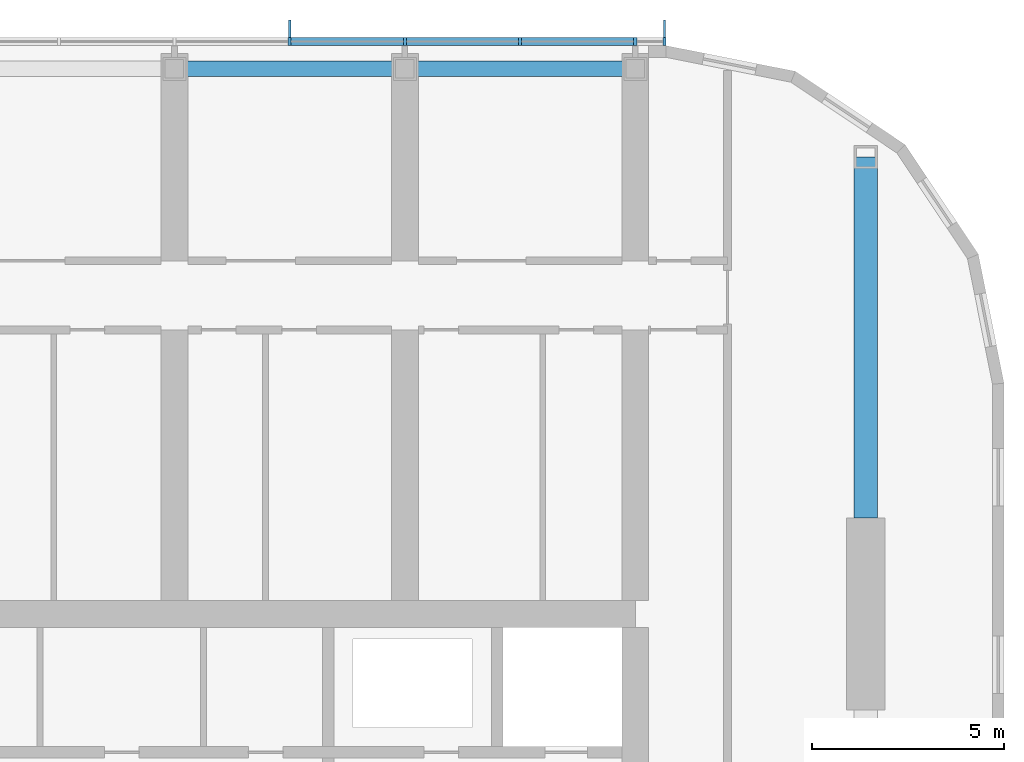
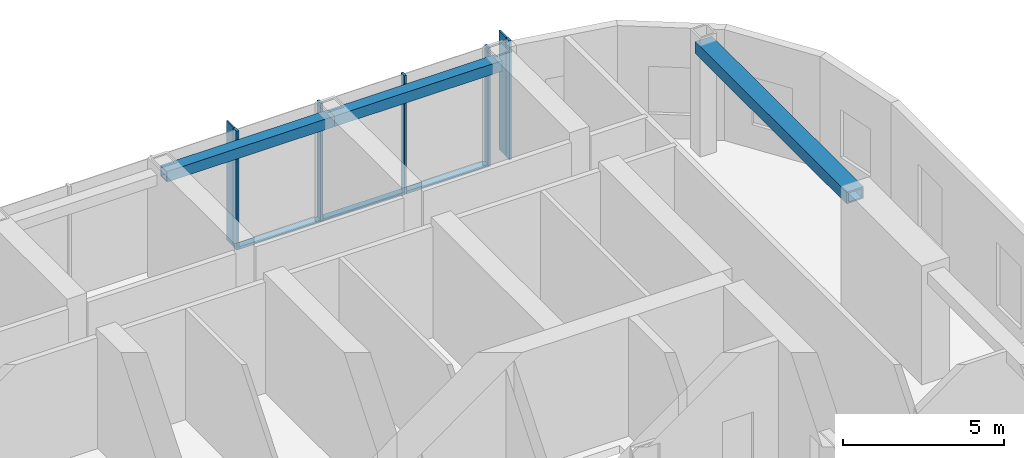
# One storey, part 5 of 21: 10 members, 3 beams, 1 element without a shape of its own.
"""IFC4 building model written with IfcOpenShell, lengths in metres."""

from ifc_helpers import new_model, si_unit, direction, frame, origin, origin_2d, place, context, subcontext, project, spatial, rectangle, hollow_rectangle, extrude, material, material_profile, profile_set, type_object, element, aggregate, save


model = new_model("IFC4")

# Units and contexts
model_context = context("Model", 3, precision=1e-05, world=origin(), true_north=direction((0.0, 1.0)))
body_context = subcontext(model_context, "Body", "Model", "MODEL_VIEW")
ifc_project = project(units=[si_unit("LENGTHUNIT", "METRE"), si_unit("AREAUNIT", "SQUARE_METRE"), si_unit("VOLUMEUNIT", "CUBIC_METRE"), si_unit("PLANEANGLEUNIT", "RADIAN"), si_unit("MASSUNIT", "GRAM", prefix="KILO")], contexts=[model_context])

# Site, building, storey
site_placement = place(None, origin())
site = spatial("IfcSite", under=ifc_project, at=site_placement, CompositionType="ELEMENT")
building_placement = place(site_placement, origin())
building = spatial("IfcBuilding", under=site, at=building_placement, Name="Orbita Commons", CompositionType="ELEMENT")
storey_placement = place(building_placement, frame((0.0, 0.0, 257.800048828125)))
storey = spatial("IfcBuildingStorey", under=building, at=storey_placement, Name="L64", CompositionType="ELEMENT", Elevation=257.800048828125)

# Curtain wall, members
ifc_material_1 = material(Name="Anodised aluminium frame, pale silver", Category="aluminium")
curtain_wall_type = type_object("IfcCurtainWallType", Name="Unitised curtain wall CW-S, full-height", PredefinedType="NOTDEFINED", material=ifc_material_1)
curtain_wall_placement = place(storey_placement, origin())
curtain_wall = element("IfcCurtainWall", 1, at=curtain_wall_placement, inside=storey, type_object=curtain_wall_type, Name="Curtain wall north L64", PredefinedType="NOTDEFINED")
ifc_material_2 = material(Name="Anodised aluminium, pale silver", Category="aluminium")
ifc_material_profile_1 = material_profile(ifc_material_2, rectangle(XDim=0.080078125, YDim=0.219970703125, at=origin_2d()), Name="AL 80x220")
ifc_profile_set_1 = profile_set([ifc_material_profile_1], Name="Anodised aluminium, pale silver")
member_type_1 = type_object("IfcMemberType", Name="Curtain wall mullion 80x220", PredefinedType="MULLION", material=ifc_profile_set_1)
member_1_placement = place(storey_placement, frame((66.760009765625, 53.110107421875, -0.300048828125), z_axis=(0.0, 0.0, 1.0), x_axis=(-1.0, 0.0, 0.0)))
member_1 = element("IfcMember", 2, at=member_1_placement, type_object=member_type_1, Name="Mullion 1 CW-L64-N", PredefinedType="MULLION", context=body_context, shape_type="SweptSolid", body=[
    extrude(rectangle(XDim=0.080078125, YDim=0.219970703125, at=origin_2d()), origin(), (0.0, 0.0, 1.0), 4.5),
])
member_2_placement = place(storey_placement, frame((66.0, 53.110107421875, -0.300048828125), z_axis=(0.0, 0.0, 1.0), x_axis=(-1.0, 0.0, 0.0)))
member_2 = element("IfcMember", 3, at=member_2_placement, type_object=member_type_1, Name="Mullion 2 CW-L64-N", PredefinedType="MULLION", context=body_context, shape_type="SweptSolid", body=[
    extrude(rectangle(XDim=0.080078125, YDim=0.219970703125, at=origin_2d()), origin(), (0.0, 0.0, 1.0), 4.5),
])
member_3_placement = place(storey_placement, frame((63.0, 53.110107421875, -0.300048828125), z_axis=(0.0, 0.0, 1.0), x_axis=(-1.0, 0.0, 0.0)))
member_3 = element("IfcMember", 4, at=member_3_placement, type_object=member_type_1, Name="Mullion 3 CW-L64-N", PredefinedType="MULLION", context=body_context, shape_type="SweptSolid", body=[
    extrude(rectangle(XDim=0.080078125, YDim=0.219970703125, at=origin_2d()), origin(), (0.0, 0.0, 1.0), 4.5),
])
member_4_placement = place(storey_placement, frame((60.0, 53.110107421875, -0.300048828125), z_axis=(0.0, 0.0, 1.0), x_axis=(-1.0, 0.0, 0.0)))
member_4 = element("IfcMember", 5, at=member_4_placement, type_object=member_type_1, Name="Mullion 4 CW-L64-N", PredefinedType="MULLION", context=body_context, shape_type="SweptSolid", body=[
    extrude(rectangle(XDim=0.080078125, YDim=0.219970703125, at=origin_2d()), origin(), (0.0, 0.0, 1.0), 4.5),
])
member_5_placement = place(storey_placement, frame((57.0, 53.110107421875, -0.300048828125), z_axis=(0.0, 0.0, 1.0), x_axis=(-1.0, 0.0, 0.0)))
member_5 = element("IfcMember", 6, at=member_5_placement, type_object=member_type_1, Name="Mullion 5 CW-L64-N", PredefinedType="MULLION", context=body_context, shape_type="SweptSolid", body=[
    extrude(rectangle(XDim=0.080078125, YDim=0.219970703125, at=origin_2d()), origin(), (0.0, 0.0, 1.0), 4.5),
])
ifc_material_3 = material(Name="Anodised aluminium, pale silver", Category="aluminium")
ifc_material_profile_2 = material_profile(ifc_material_3, rectangle(XDim=0.219970703125, YDim=0.10009765625, at=origin_2d()), Name="AL 220x100")
ifc_profile_set_2 = profile_set([ifc_material_profile_2], Name="Anodised aluminium, pale silver")
member_type_2 = type_object("IfcMemberType", Name="Curtain wall stack transom 220x100", PredefinedType="USERDEFINED", material=ifc_profile_set_2)
member_6_placement = place(storey_placement, frame((65.9599609375, 53.110107421875, -0.25), z_axis=(-1.0, 0.0, 0.0), x_axis=(0.0, -1.0, 0.0)))
member_6 = element("IfcMember", 7, at=member_6_placement, type_object=member_type_2, Name="Transom 2.1 CW-L64-N", ObjectType="TRANSOM", PredefinedType="USERDEFINED", context=body_context, shape_type="SweptSolid", body=[
    extrude(rectangle(XDim=0.219970703125, YDim=0.10009765625, at=origin_2d()), origin(), (0.0, 0.0, 1.0), 2.919921875),
])
member_7_placement = place(storey_placement, frame((62.9599609375, 53.110107421875, -0.25), z_axis=(-1.0, 0.0, 0.0), x_axis=(0.0, -1.0, 0.0)))
member_7 = element("IfcMember", 8, at=member_7_placement, type_object=member_type_2, Name="Transom 3.1 CW-L64-N", ObjectType="TRANSOM", PredefinedType="USERDEFINED", context=body_context, shape_type="SweptSolid", body=[
    extrude(rectangle(XDim=0.219970703125, YDim=0.10009765625, at=origin_2d()), origin(), (0.0, 0.0, 1.0), 2.919921875),
])
member_8_placement = place(storey_placement, frame((59.9599609375, 53.110107421875, -0.25), z_axis=(-1.0, 0.0, 0.0), x_axis=(0.0, -1.0, 0.0)))
member_8 = element("IfcMember", 9, at=member_8_placement, type_object=member_type_2, Name="Transom 4.1 CW-L64-N", ObjectType="TRANSOM", PredefinedType="USERDEFINED", context=body_context, shape_type="SweptSolid", body=[
    extrude(rectangle(XDim=0.219970703125, YDim=0.10009765625, at=origin_2d()), origin(), (0.0, 0.0, 1.0), 2.919921875),
])

# Beams
ifc_material_4 = material(Name="Steel ASTM A572 Gr 50 welded plate", Category="steel")
ifc_material_profile_3 = material_profile(ifc_material_4, hollow_rectangle(XDim=0.60009765625, YDim=0.449951171875, WallThickness=0.06005859375, at=origin_2d()), Name="BOX 450x600x60")
ifc_profile_set_3 = profile_set([ifc_material_profile_3], Name="Steel ASTM A572 Gr 50 welded plate")
beam_type_1 = type_object("IfcBeamType", Name="Steel end frame link BOX 450x600x60", PredefinedType="BEAM", material=ifc_profile_set_3)
beam_placement = place(storey_placement, frame((72.0, 40.699951171875, 3.974853515625), z_axis=(0.0, 1.0, 0.0), x_axis=(-1.0, 0.0, 0.0)))
element("IfcBeam", 10, at=beam_placement, inside=storey, type_object=beam_type_1, Name="End frame beam 13 D-E L64", PredefinedType="BEAM", context=body_context, shape_type="SweptSolid", body=[
    extrude(hollow_rectangle(XDim=0.60009765625, YDim=0.449951171875, WallThickness=0.06005859375, at=origin_2d()), origin(), (0.0, 0.0, 1.0), 9.400146484375),
])
ifc_material_5 = material(Name="Steel ASTM A572 Gr 50 welded plate", Category="steel")
ifc_material_profile_4 = material_profile(ifc_material_5, hollow_rectangle(XDim=0.39990234375, YDim=0.39990234375, WallThickness=0.0400390625, at=origin_2d()), Name="BOX 400x400x40")
ifc_profile_set_4 = profile_set([ifc_material_profile_4], Name="Steel ASTM A572 Gr 50 welded plate")
beam_type_2 = type_object("IfcBeamType", Name="Steel spandrel BOX 400x400x40", PredefinedType="SPANDREL", material=ifc_profile_set_4)
for number, where, z_axis, x_axis, name in (
    (11, (54.0, 52.39990234375, 4.0), (1.0, 0.0, 0.0), (0.0, 1.0, 0.0), "Spandrel beam E 10-11 L64"),
    (12, (60.0, 52.39990234375, 4.0), (1.0, 0.0, 0.0), (0.0, 1.0, 0.0), "Spandrel beam E 11-12 L64"),
):
    element("IfcBeam", number, at=place(storey_placement, frame(where, z_axis=z_axis, x_axis=x_axis)), inside=storey, type_object=beam_type_2, Name=name, PredefinedType="SPANDREL", context=body_context, shape_type="SweptSolid", body=[
        extrude(hollow_rectangle(XDim=0.39990234375, YDim=0.39990234375, WallThickness=0.0400390625, at=origin_2d()), origin(), (0.0, 0.0, 1.0), 6.0),
    ])

# Member
ifc_material_6 = material(Name="Anodised aluminium, pale silver", Category="aluminium")
ifc_material_profile_5 = material_profile(ifc_material_6, rectangle(XDim=0.06005859375, YDim=0.449951171875, at=origin_2d()), Name="FIN 60x450")
ifc_profile_set_5 = profile_set([ifc_material_profile_5], Name="Anodised aluminium, pale silver")
member_type_3 = type_object("IfcMemberType", Name="Vertical fin 60x450 pale aluminium", PredefinedType="USERDEFINED", material=ifc_profile_set_5)
member_9_placement = place(storey_placement, frame((66.760009765625, 53.445068359375, -0.300048828125), z_axis=(0.0, 0.0, 1.0), x_axis=(-1.0, 0.0, 0.0)))
member_9 = element("IfcMember", 13, at=member_9_placement, type_object=member_type_3, Name="Fin 1 CW-L64-N", ObjectType="FIN", PredefinedType="USERDEFINED", context=body_context, shape_type="SweptSolid", body=[
    extrude(rectangle(XDim=0.06005859375, YDim=0.449951171875, at=origin_2d()), origin(), (0.0, 0.0, 1.0), 4.5),
])

member_10_placement = place(storey_placement, frame((57.0, 53.445068359375, -0.300048828125), z_axis=(0.0, 0.0, 1.0), x_axis=(-1.0, 0.0, 0.0)))
member_10 = element("IfcMember", 14, at=member_10_placement, type_object=member_type_3, Name="Fin 5 CW-L64-N", ObjectType="FIN", PredefinedType="USERDEFINED", context=body_context, shape_type="SweptSolid", body=[
    extrude(rectangle(XDim=0.06005859375, YDim=0.449951171875, at=origin_2d()), origin(), (0.0, 0.0, 1.0), 4.5),
])

aggregate(curtain_wall, [member_1, member_9, member_2, member_3, member_4, member_5, member_10, member_6, member_7, member_8])

save(model, "model.ifc")
